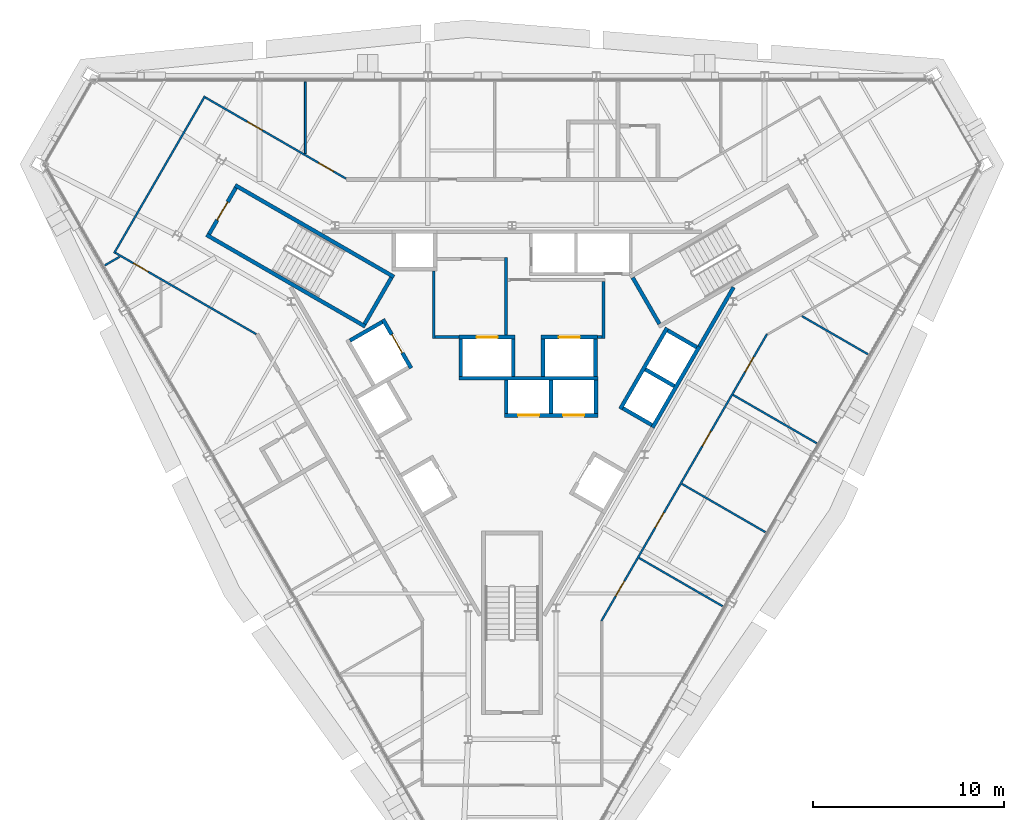
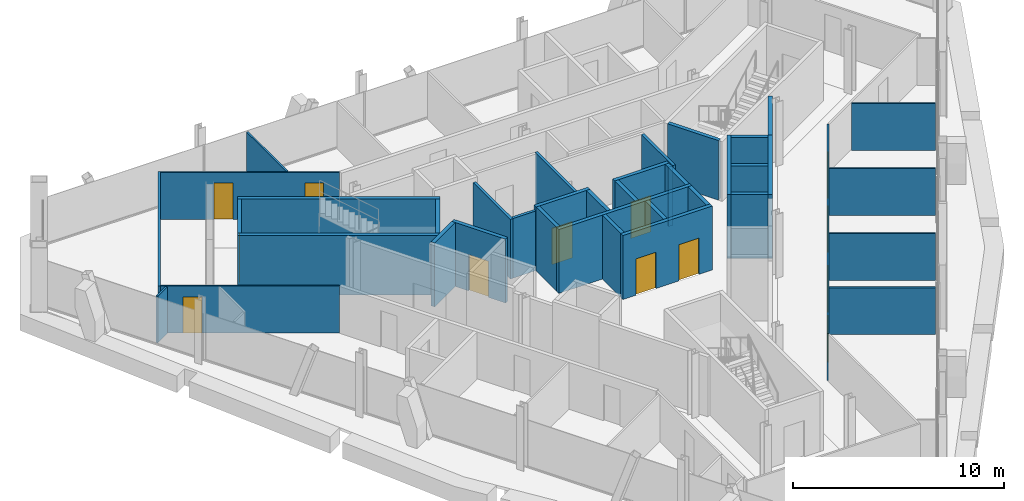
# One storey, part 10 of 14: 39 walls, 13 doors, 13 openings.
"""IFC4 building model written with IfcOpenShell, lengths in metres."""

from ifc_helpers import new_model, si_unit, direction, frame, frame_2d, origin, place, context, subcontext, project, spatial, rectangle, extrude, material, layer, layer_set, type_object, element, fill, save


model = new_model("IFC4")

# Units and contexts
model_context = context("Model", 3, precision=1e-05, world=origin(), true_north=direction((0.0, 1.0)))
body_context = subcontext(model_context, "Body", "Model", "MODEL_VIEW")
ifc_project = project(units=[si_unit("LENGTHUNIT", "METRE"), si_unit("AREAUNIT", "SQUARE_METRE"), si_unit("VOLUMEUNIT", "CUBIC_METRE"), si_unit("PLANEANGLEUNIT", "RADIAN"), si_unit("MASSUNIT", "GRAM", prefix="KILO")], contexts=[model_context])

# Site, building, storey
site_placement = place(None, origin())
site = spatial("IfcSite", under=ifc_project, at=site_placement, CompositionType="ELEMENT")
building_placement = place(site_placement, origin())
building = spatial("IfcBuilding", under=site, at=building_placement, Name="Verrane Prism Tower", CompositionType="ELEMENT")
storey_placement = place(building_placement, frame((0.0, 0.0, 221.199951171875)))
storey = spatial("IfcBuildingStorey", under=building, at=storey_placement, Name="L55", CompositionType="ELEMENT", Elevation=221.199951171875)

# Walls
ifc_material_1 = material(Name="Gypsum board partition", Category="other")
ifc_layer_1 = layer(ifc_material_1, 0.199951171875)
ifc_layer_set_1 = layer_set([ifc_layer_1], Name="CW-200 core boundary wall 2 h")
wall_type_1 = type_object("IfcWallType", Name="CW-200 core boundary wall 2 h", PredefinedType="PARTITIONING", material=ifc_layer_set_1)
wall_1_placement = place(storey_placement, frame((9.802978515625, 1.657958984375, 0.0), z_axis=(0.0, 0.0, 1.0), x_axis=(0.499943114462, 0.866058244174, 0.0)))
element("IfcWall", 1, at=wall_1_placement, inside=storey, type_object=wall_type_1, Name="Core boundary wall CW3-008", PredefinedType="PARTITIONING", context=body_context, shape_type="SweptSolid", body=[
    extrude(rectangle(XDim=3.57568359375, YDim=0.199951171875, at=frame_2d((1.787841796875, 0.0))), origin(), (0.0, 0.0, 1.0), 3.449951171875),
])
ifc_material_2 = material(Name="Concrete C40/50", Category="concrete")
ifc_layer_2 = layer(ifc_material_2, 0.199951171875)
ifc_layer_set_2 = layer_set([ifc_layer_2], Name="CW-200 stair core wall concrete C40/50 3 h")
wall_type_2 = type_object("IfcWallType", Name="CW-200 stair core wall concrete C40/50 3 h", PredefinedType="PARTITIONING", material=ifc_layer_set_2)
wall_2_placement = place(storey_placement, frame((7.71484375, 2.837646484375, 0.0), z_axis=(0.0, 0.0, 1.0), x_axis=(-0.500049511043, 0.865996816683, 0.0)))
element("IfcWall", 2, at=wall_2_placement, inside=storey, type_object=wall_type_2, Name="Stair 1 enclosure wall", PredefinedType="PARTITIONING", context=body_context, shape_type="SweptSolid", body=[
    extrude(rectangle(XDim=2.800048828125, YDim=0.199951171875, at=frame_2d((1.39990234375, 0.0))), origin(), (0.0, 0.0, 1.0), 3.449951171875),
])

# Wall, opening, door
wall_3_placement = place(storey_placement, frame((-14.455322265625, 9.96240234375, 0.0), z_axis=(0.0, 0.0, 1.0), x_axis=(-0.500049511043, -0.865996816683, 0.0)))
wall_3 = element("IfcWall", 3, at=wall_3_placement, inside=storey, type_object=wall_type_2, Name="Stair 2 enclosure wall", PredefinedType="PARTITIONING", context=body_context, shape_type="SweptSolid", body=[
    extrude(rectangle(XDim=2.800048828125, YDim=0.199951171875, at=frame_2d((1.39990234375, 0.0))), origin(), (0.0, 0.0, 1.0), 3.449951171875),
])
opening_1_placement = place(wall_3_placement, frame((0.849853515625, 0.0, 0.0)))
opening_1 = element("IfcOpeningElement", 4, at=opening_1_placement, cuts=wall_3, Name="Opening D54501", PredefinedType="OPENING", context=body_context, shape_type="SweptSolid", body=[
    extrude(rectangle(XDim=1.10009765625, YDim=2.10009765625, at=frame_2d((0.550048828125, 1.050048828125))), frame((0.0, 0.10986328125, 0.0), z_axis=(0.0, -1.0, 0.0), x_axis=(1.0, 0.0, 0.0)), (0.0, 0.0, 1.0), 0.219970703125),
])
ifc_material_3 = material(Name="Timber veneered door leaf", Category="wood")
door_type_1 = type_object("IfcDoorType", Name="DR-1100x2100 FD90 single leaf stair", OperationType="NOTDEFINED", PredefinedType="DOOR", material=ifc_material_3)
door_1_placement = place(opening_1_placement, origin())
door_1 = element("IfcDoor", 5, at=door_1_placement, inside=storey, type_object=door_type_1, Name="Stair 2 door", OperationType="SINGLE_SWING_RIGHT", OverallHeight=2.10009765625, OverallWidth=1.10009765625, PredefinedType="DOOR", context=body_context, shape_type="SweptSolid", body=[
    extrude(rectangle(XDim=1.10009765625, YDim=2.10009765625, at=frame_2d((0.550048828125, 1.050048828125))), frame((0.0, 0.02490234375, 0.0), z_axis=(0.0, -1.0, 0.0), x_axis=(1.0, 0.0, 0.0)), (0.0, 0.0, 1.0), 0.050048828125),
])
fill(opening_1, door_1)

# Walls
for number, where, z_axis, x_axis, name in (
    (6, (-7.67822265625, 2.700927734375, 0.0), (0.0, 0.0, 1.0), (-0.866019993635, 0.500009370536, 0.0), "Stair 2 enclosure wall"),
    (7, (-6.17822265625, 5.299072265625, 0.0), (0.0, 0.0, 1.0), (-0.866019993635, 0.500009370536, 0.0), "Stair 2 enclosure wall"),
):
    element("IfcWall", number, at=place(storey_placement, frame(where, z_axis=z_axis, x_axis=x_axis)), inside=storey, type_object=wall_type_2, Name=name, PredefinedType="PARTITIONING", context=body_context, shape_type="SweptSolid", body=[
        extrude(rectangle(XDim=9.599853515625, YDim=0.199951171875, at=frame_2d((4.7998046875, 0.0))), origin(), (0.0, 0.0, 1.0), 3.449951171875),
    ])
wall_4_placement = place(storey_placement, frame((-6.314697265625, 5.262451171875, 0.0), z_axis=(0.0, 0.0, 1.0), x_axis=(-0.500049511043, -0.865996816683, 0.0)))
element("IfcWall", 8, at=wall_4_placement, inside=storey, type_object=wall_type_2, Name="Stair 2 enclosure wall", PredefinedType="PARTITIONING", context=body_context, shape_type="SweptSolid", body=[
    extrude(rectangle(XDim=2.800048828125, YDim=0.199951171875, at=frame_2d((1.39990234375, 0.0))), origin(), (0.0, 0.0, 1.0), 3.449951171875),
])

# Wall, openings, doors
ifc_material_4 = material(Name="Gypsum board shaft wall assembly", Category="other")
ifc_layer_3 = layer(ifc_material_4, 0.199951171875)
ifc_layer_set_3 = layer_set([ifc_layer_3], Name="HW-200 lift shaft wall 2 h")
wall_type_3 = type_object("IfcWallType", Name="HW-200 lift shaft wall 2 h", PredefinedType="PARTITIONING", material=ifc_layer_set_3)
wall_5_placement = place(storey_placement, frame((-0.405029296875, -1.949951171875, 0.0), z_axis=(0.0, 0.0, 1.0), x_axis=(1.0, 0.0, 0.0)))
wall_5 = element("IfcWall", 9, at=wall_5_placement, inside=storey, type_object=wall_type_3, Name="Lift shaft wall", PredefinedType="PARTITIONING", context=body_context, shape_type="SweptSolid", body=[
    extrude(rectangle(XDim=4.900146484375, YDim=0.199951171875, at=frame_2d((2.4501953125, 0.0))), origin(), (0.0, 0.0, 1.0), 3.699951171875),
])
opening_2_placement = place(wall_5_placement, frame((0.72509765625, 0.0, 0.0)))
opening_2 = element("IfcOpeningElement", 10, at=opening_2_placement, cuts=wall_5, Name="Opening D54503", PredefinedType="OPENING", context=body_context, shape_type="SweptSolid", body=[
    extrude(rectangle(XDim=1.10009765625, YDim=2.10009765625, at=frame_2d((0.550048828125, 1.050048828125))), frame((0.0, 0.10986328125, 0.0), z_axis=(0.0, -1.0, 0.0), x_axis=(1.0, 0.0, 0.0)), (0.0, 0.0, 1.0), 0.219970703125),
])
opening_3_placement = place(wall_5_placement, frame((3.074951171875, 0.0, 0.0)))
opening_3 = element("IfcOpeningElement", 11, at=opening_3_placement, cuts=wall_5, Name="Opening D54504", PredefinedType="OPENING", context=body_context, shape_type="SweptSolid", body=[
    extrude(rectangle(XDim=1.10009765625, YDim=2.10009765625, at=frame_2d((0.550048828125, 1.050048828125))), frame((0.0, 0.10986328125, 0.0), z_axis=(0.0, -1.0, 0.0), x_axis=(1.0, 0.0, 0.0)), (0.0, 0.0, 1.0), 0.219970703125),
])
ifc_material_5 = material(Name="Stainless steel sliding landing door", Category="steel")
door_type_2 = type_object("IfcDoorType", Name="LD-1100x2100 lift landing door FD90 sliding", OperationType="NOTDEFINED", PredefinedType="DOOR", material=ifc_material_5)
door_2_placement = place(opening_2_placement, origin())
door_2 = element("IfcDoor", 12, at=door_2_placement, inside=storey, type_object=door_type_2, Name="Bank B lift 1 landing door", OperationType="SLIDING_TO_LEFT", OverallHeight=2.10009765625, OverallWidth=1.10009765625, PredefinedType="DOOR", context=body_context, shape_type="SweptSolid", body=[
    extrude(rectangle(XDim=1.10009765625, YDim=2.10009765625, at=frame_2d((0.550048828125, 1.050048828125))), frame((0.0, 0.02490234375, 0.0), z_axis=(0.0, -1.0, 0.0), x_axis=(1.0, 0.0, 0.0)), (0.0, 0.0, 1.0), 0.050048828125),
])
fill(opening_2, door_2)
door_3_placement = place(opening_3_placement, origin())
door_3 = element("IfcDoor", 13, at=door_3_placement, inside=storey, type_object=door_type_2, Name="Bank B lift 2 landing door", OperationType="SLIDING_TO_RIGHT", OverallHeight=2.10009765625, OverallWidth=1.10009765625, PredefinedType="DOOR", context=body_context, shape_type="SweptSolid", body=[
    extrude(rectangle(XDim=1.10009765625, YDim=2.10009765625, at=frame_2d((0.550048828125, 1.050048828125))), frame((0.0, 0.02490234375, 0.0), z_axis=(0.0, -1.0, 0.0), x_axis=(1.0, 0.0, 0.0)), (0.0, 0.0, 1.0), 0.050048828125),
])
fill(opening_3, door_3)

# Wall
wall_6_placement = place(storey_placement, frame((-2.784912109375, 0.0, 0.0), z_axis=(0.0, 0.0, 1.0), x_axis=(1.0, 0.0, 0.0)))
element("IfcWall", 14, at=wall_6_placement, inside=storey, type_object=wall_type_3, Name="Lift shaft wall", PredefinedType="PARTITIONING", context=body_context, shape_type="SweptSolid", body=[
    extrude(rectangle(XDim=7.280029296875, YDim=0.199951171875, at=frame_2d((3.64013671875, 0.0))), origin(), (0.0, 0.0, 1.0), 3.699951171875),
])

# Wall, opening, door
wall_7_placement = place(storey_placement, frame((-2.784912109375, 2.14990234375, 0.0), z_axis=(0.0, 0.0, 1.0), x_axis=(1.0, 0.0, 0.0)))
wall_7 = element("IfcWall", 15, at=wall_7_placement, inside=storey, type_object=wall_type_3, Name="Lift shaft wall", PredefinedType="PARTITIONING", context=body_context, shape_type="SweptSolid", body=[
    extrude(rectangle(XDim=2.949951171875, YDim=0.199951171875, at=frame_2d((1.47509765625, 0.0))), origin(), (0.0, 0.0, 1.0), 3.699951171875),
])
opening_4_placement = place(wall_7_placement, frame((0.925048828125, 0.0, 0.0)))
opening_4 = element("IfcOpeningElement", 16, at=opening_4_placement, cuts=wall_7, Name="Opening D54507", PredefinedType="OPENING", context=body_context, shape_type="SweptSolid", body=[
    extrude(rectangle(XDim=1.10009765625, YDim=2.10009765625, at=frame_2d((0.550048828125, 1.050048828125))), frame((0.0, 0.10986328125, 0.0), z_axis=(0.0, -1.0, 0.0), x_axis=(1.0, 0.0, 0.0)), (0.0, 0.0, 1.0), 0.219970703125),
])
door_4_placement = place(opening_4_placement, origin())
door_4 = element("IfcDoor", 17, at=door_4_placement, inside=storey, type_object=door_type_2, Name="Fire service lift 1 landing door", OperationType="SLIDING_TO_LEFT", OverallHeight=2.10009765625, OverallWidth=1.10009765625, PredefinedType="DOOR", context=body_context, shape_type="SweptSolid", body=[
    extrude(rectangle(XDim=1.10009765625, YDim=2.10009765625, at=frame_2d((0.550048828125, 1.050048828125))), frame((0.0, 0.02490234375, 0.0), z_axis=(0.0, -1.0, 0.0), x_axis=(1.0, 0.0, 0.0)), (0.0, 0.0, 1.0), 0.050048828125),
])
fill(opening_4, door_4)

wall_8_placement = place(storey_placement, frame((1.52490234375, 2.14990234375, 0.0), z_axis=(0.0, 0.0, 1.0), x_axis=(1.0, 0.0, 0.0)))
wall_8 = element("IfcWall", 18, at=wall_8_placement, inside=storey, type_object=wall_type_3, Name="Lift shaft wall", PredefinedType="PARTITIONING", context=body_context, shape_type="SweptSolid", body=[
    extrude(rectangle(XDim=2.9501953125, YDim=0.199951171875, at=frame_2d((1.47509765625, 0.0))), origin(), (0.0, 0.0, 1.0), 3.699951171875),
])
opening_5_placement = place(wall_8_placement, frame((0.925048828125, 0.0, 0.0)))
opening_5 = element("IfcOpeningElement", 19, at=opening_5_placement, cuts=wall_8, Name="Opening D54508", PredefinedType="OPENING", context=body_context, shape_type="SweptSolid", body=[
    extrude(rectangle(XDim=1.10009765625, YDim=2.10009765625, at=frame_2d((0.550048828125, 1.050048828125))), frame((0.0, 0.10986328125, 0.0), z_axis=(0.0, -1.0, 0.0), x_axis=(1.0, 0.0, 0.0)), (0.0, 0.0, 1.0), 0.219970703125),
])
door_5_placement = place(opening_5_placement, origin())
door_5 = element("IfcDoor", 20, at=door_5_placement, inside=storey, type_object=door_type_2, Name="Fire service lift 2 landing door", OperationType="SLIDING_TO_RIGHT", OverallHeight=2.10009765625, OverallWidth=1.10009765625, PredefinedType="DOOR", context=body_context, shape_type="SweptSolid", body=[
    extrude(rectangle(XDim=1.10009765625, YDim=2.10009765625, at=frame_2d((0.550048828125, 1.050048828125))), frame((0.0, 0.02490234375, 0.0), z_axis=(0.0, -1.0, 0.0), x_axis=(1.0, 0.0, 0.0)), (0.0, 0.0, 1.0), 0.050048828125),
])
fill(opening_5, door_5)

# Walls
wall_9_placement = place(storey_placement, frame((-8.48046875, 1.968505859375, 0.0), z_axis=(0.0, 0.0, 1.0), x_axis=(0.866000020948, 0.500043961785, 0.0)))
element("IfcWall", 21, at=wall_9_placement, inside=storey, type_object=wall_type_3, Name="Lift shaft wall", PredefinedType="PARTITIONING", context=body_context, shape_type="SweptSolid", body=[
    extrude(rectangle(XDim=1.949951171875, YDim=0.199951171875, at=frame_2d((0.97509765625, 0.0))), origin(), (0.0, 0.0, 1.0), 3.699951171875),
])
wall_10_placement = place(storey_placement, frame((7.351318359375, -2.587158203125, 0.0), z_axis=(0.0, 0.0, 1.0), x_axis=(0.500002801628, 0.866023786258, 0.0)))
element("IfcWall", 22, at=wall_10_placement, inside=storey, type_object=wall_type_3, Name="Lift shaft wall", PredefinedType="PARTITIONING", context=body_context, shape_type="SweptSolid", body=[
    extrude(rectangle(XDim=4.89990234375, YDim=0.199951171875, at=frame_2d((2.449951171875, 0.0))), origin(), (0.0, 0.0, 1.0), 3.699951171875),
])
wall_11_placement = place(storey_placement, frame((5.66259765625, -1.6123046875, 0.0), z_axis=(0.0, 0.0, 1.0), x_axis=(0.49998122708, 0.866036242063, 0.0)))
element("IfcWall", 23, at=wall_11_placement, inside=storey, type_object=wall_type_3, Name="Lift shaft wall", PredefinedType="PARTITIONING", context=body_context, shape_type="SweptSolid", body=[
    extrude(rectangle(XDim=4.900146484375, YDim=0.199951171875, at=frame_2d((2.4501953125, 0.0))), origin(), (0.0, 0.0, 1.0), 3.699951171875),
])
wall_12_placement = place(storey_placement, frame((4.39501953125, -1.85009765625, 0.0), z_axis=(0.0, 0.0, 1.0), x_axis=(0.0, 1.0, 0.0)))
element("IfcWall", 24, at=wall_12_placement, inside=storey, type_object=wall_type_3, Name="Lift shaft wall", PredefinedType="PARTITIONING", context=body_context, shape_type="SweptSolid", body=[
    extrude(rectangle(XDim=1.75, YDim=0.199951171875, at=frame_2d((0.875, 0.0))), origin(), (0.0, 0.0, 1.0), 3.699951171875),
])
wall_13_placement = place(storey_placement, frame((4.375, 0.10009765625, 0.0), z_axis=(0.0, 0.0, 1.0), x_axis=(0.0, 1.0, 0.0)))
element("IfcWall", 25, at=wall_13_placement, inside=storey, type_object=wall_type_3, Name="Lift shaft wall", PredefinedType="PARTITIONING", context=body_context, shape_type="SweptSolid", body=[
    extrude(rectangle(XDim=1.949951171875, YDim=0.199951171875, at=frame_2d((0.97509765625, 0.0))), origin(), (0.0, 0.0, 1.0), 3.699951171875),
])
wall_14_placement = place(storey_placement, frame((2.044921875, -1.85009765625, 0.0), z_axis=(0.0, 0.0, 1.0), x_axis=(0.0, 1.0, 0.0)))
element("IfcWall", 26, at=wall_14_placement, inside=storey, type_object=wall_type_3, Name="Lift shaft wall", PredefinedType="PARTITIONING", context=body_context, shape_type="SweptSolid", body=[
    extrude(rectangle(XDim=1.75, YDim=0.199951171875, at=frame_2d((0.875, 0.0))), origin(), (0.0, 0.0, 1.0), 3.699951171875),
])
for number, where, z_axis, x_axis, name in (
    (27, (1.625, 0.10009765625, 0.0), (0.0, 0.0, 1.0), (0.0, 1.0, 0.0), "Lift shaft wall"),
    (28, (0.06494140625, 0.10009765625, 0.0), (0.0, 0.0, 1.0), (0.0, 1.0, 0.0), "Lift shaft wall"),
):
    element("IfcWall", number, at=place(storey_placement, frame(where, z_axis=z_axis, x_axis=x_axis)), inside=storey, type_object=wall_type_3, Name=name, PredefinedType="PARTITIONING", context=body_context, shape_type="SweptSolid", body=[
        extrude(rectangle(XDim=1.949951171875, YDim=0.199951171875, at=frame_2d((0.97509765625, 0.0))), origin(), (0.0, 0.0, 1.0), 3.699951171875),
    ])
wall_15_placement = place(storey_placement, frame((-0.304931640625, -1.85009765625, 0.0), z_axis=(0.0, 0.0, 1.0), x_axis=(0.0, 1.0, 0.0)))
element("IfcWall", 29, at=wall_15_placement, inside=storey, type_object=wall_type_3, Name="Lift shaft wall", PredefinedType="PARTITIONING", context=body_context, shape_type="SweptSolid", body=[
    extrude(rectangle(XDim=1.75, YDim=0.199951171875, at=frame_2d((0.875, 0.0))), origin(), (0.0, 0.0, 1.0), 3.699951171875),
])
wall_16_placement = place(storey_placement, frame((-2.68505859375, 0.10009765625, 0.0), z_axis=(0.0, 0.0, 1.0), x_axis=(0.0, 1.0, 0.0)))
element("IfcWall", 30, at=wall_16_placement, inside=storey, type_object=wall_type_3, Name="Lift shaft wall", PredefinedType="PARTITIONING", context=body_context, shape_type="SweptSolid", body=[
    extrude(rectangle(XDim=1.949951171875, YDim=0.199951171875, at=frame_2d((0.97509765625, 0.0))), origin(), (0.0, 0.0, 1.0), 3.699951171875),
])

# Wall, opening, door
wall_17_placement = place(storey_placement, frame((-5.280029296875, 0.525390625, 0.0), z_axis=(0.0, 0.0, 1.0), x_axis=(-0.500037662692, 0.866003658127, 0.0)))
wall_17 = element("IfcWall", 31, at=wall_17_placement, inside=storey, type_object=wall_type_3, Name="Lift shaft wall", PredefinedType="PARTITIONING", context=body_context, shape_type="SweptSolid", body=[
    extrude(rectangle(XDim=2.949951171875, YDim=0.199951171875, at=frame_2d((1.47509765625, 0.0))), origin(), (0.0, 0.0, 1.0), 3.699951171875),
])
opening_6_placement = place(wall_17_placement, frame((0.925048828125, 0.0, 0.0)))
opening_6 = element("IfcOpeningElement", 32, at=opening_6_placement, cuts=wall_17, Name="Opening D54509", PredefinedType="OPENING", context=body_context, shape_type="SweptSolid", body=[
    extrude(rectangle(XDim=1.10009765625, YDim=2.10009765625, at=frame_2d((0.550048828125, 1.050048828125))), frame((0.0, 0.10986328125, 0.0), z_axis=(0.0, -1.0, 0.0), x_axis=(1.0, 0.0, 0.0)), (0.0, 0.0, 1.0), 0.219970703125),
])
door_6_placement = place(opening_6_placement, origin())
door_6 = element("IfcDoor", 33, at=door_6_placement, inside=storey, type_object=door_type_2, Name="Service lift 1 landing door", OperationType="SLIDING_TO_LEFT", OverallHeight=2.10009765625, OverallWidth=1.10009765625, PredefinedType="DOOR", context=body_context, shape_type="SweptSolid", body=[
    extrude(rectangle(XDim=1.10009765625, YDim=2.10009765625, at=frame_2d((0.550048828125, 1.050048828125))), frame((0.0, 0.02490234375, 0.0), z_axis=(0.0, -1.0, 0.0), x_axis=(1.0, 0.0, 0.0)), (0.0, 0.0, 1.0), 0.050048828125),
])
fill(opening_6, door_6)

# Walls
wall_18_placement = place(storey_placement, frame((9.66455078125, 1.61962890625, 0.0), z_axis=(0.0, 0.0, 1.0), x_axis=(-0.866002029911, 0.500040482552, 0.0)))
element("IfcWall", 34, at=wall_18_placement, inside=storey, type_object=wall_type_3, Name="Lift shaft wall", PredefinedType="PARTITIONING", context=body_context, shape_type="SweptSolid", body=[
    extrude(rectangle(XDim=1.749755859375, YDim=0.199951171875, at=frame_2d((0.875, 0.0))), origin(), (0.0, 0.0, 1.0), 3.699951171875),
])
for number, where, z_axis, x_axis, name in (
    (35, (8.48974609375, -0.41552734375, 0.0), (0.0, 0.0, 1.0), (-0.866036909293, 0.499980071345, 0.0), "Lift shaft wall"),
    (36, (7.314697265625, -2.45068359375, 0.0), (0.0, 0.0, 1.0), (-0.866036909293, 0.499980071345, 0.0), "Lift shaft wall"),
):
    element("IfcWall", number, at=place(storey_placement, frame(where, z_axis=z_axis, x_axis=x_axis)), inside=storey, type_object=wall_type_3, Name=name, PredefinedType="PARTITIONING", context=body_context, shape_type="SweptSolid", body=[
        extrude(rectangle(XDim=1.75, YDim=0.199951171875, at=frame_2d((0.875, 0.0))), origin(), (0.0, 0.0, 1.0), 3.699951171875),
    ])
ifc_material_6 = material(Name="Gypsum board partition", Category="other")
ifc_layer_4 = layer(ifc_material_6, 0.14990234375)
ifc_layer_set_4 = layer_set([ifc_layer_4], Name="LF-150 firefighting lobby wall 1 h")
wall_type_4 = type_object("IfcWallType", Name="LF-150 firefighting lobby wall 1 h", PredefinedType="PARTITIONING", material=ifc_layer_set_4)
wall_19_placement = place(storey_placement, frame((-4.10009765625, 2.0849609375, 0.0), z_axis=(0.0, 0.0, 1.0), x_axis=(0.0, 1.0, 0.0)))
element("IfcWall", 37, at=wall_19_placement, inside=storey, type_object=wall_type_4, Name="Firefighting lobby wall LF1-001", PredefinedType="PARTITIONING", context=body_context, shape_type="SweptSolid", body=[
    extrude(rectangle(XDim=3.52294921875, YDim=0.14990234375, at=frame_2d((1.761474609375, 0.0))), origin(), (0.0, 0.0, 1.0), 3.449951171875),
])
wall_20_placement = place(storey_placement, frame((-4.02490234375, 2.159912109375, 0.0), z_axis=(0.0, 0.0, 1.0), x_axis=(1.0, 0.0, 0.0)))
element("IfcWall", 38, at=wall_20_placement, inside=storey, type_object=wall_type_4, Name="Firefighting lobby wall LF1-002", PredefinedType="PARTITIONING", context=body_context, shape_type="SweptSolid", body=[
    extrude(rectangle(XDim=1.23779296875, YDim=0.14990234375, at=frame_2d((0.618896484375, 0.0))), origin(), (0.0, 0.0, 1.0), 3.449951171875),
])
wall_21_placement = place(storey_placement, frame((-0.320068359375, 2.251953125, 0.0), z_axis=(0.0, 0.0, 1.0), x_axis=(0.0, 1.0, 0.0)))
element("IfcWall", 39, at=wall_21_placement, inside=storey, type_object=wall_type_4, Name="Firefighting lobby wall LF1-004", PredefinedType="PARTITIONING", context=body_context, shape_type="SweptSolid", body=[
    extrude(rectangle(XDim=4.06298828125, YDim=0.14990234375, at=frame_2d((2.031494140625, 0.0))), origin(), (0.0, 0.0, 1.0), 3.449951171875),
])
wall_22_placement = place(storey_placement, frame((4.47705078125, 2.159912109375, 0.0), z_axis=(0.0, 0.0, 1.0), x_axis=(1.0, 0.0, 0.0)))
element("IfcWall", 40, at=wall_22_placement, inside=storey, type_object=wall_type_4, Name="Firefighting lobby wall LF1-006", PredefinedType="PARTITIONING", context=body_context, shape_type="SweptSolid", body=[
    extrude(rectangle(XDim=0.238037109375, YDim=0.14990234375, at=frame_2d((0.119140625, 0.0))), origin(), (0.0, 0.0, 1.0), 3.449951171875),
])
wall_23_placement = place(storey_placement, frame((4.7900390625, 2.0849609375, 0.0), z_axis=(0.0, 0.0, 1.0), x_axis=(0.0, 1.0, 0.0)))
element("IfcWall", 41, at=wall_23_placement, inside=storey, type_object=wall_type_4, Name="Firefighting lobby wall LF1-007", PredefinedType="PARTITIONING", context=body_context, shape_type="SweptSolid", body=[
    extrude(rectangle(XDim=2.97998046875, YDim=0.14990234375, at=frame_2d((1.489990234375, 0.0))), origin(), (0.0, 0.0, 1.0), 3.449951171875),
])
ifc_material_7 = material(Name="Gypsum board partition", Category="other")
ifc_layer_5 = layer(ifc_material_7, 0.10009765625)
ifc_layer_set_5 = layer_set([ifc_layer_5], Name="PW-100 room partition")
wall_type_5 = type_object("IfcWallType", Name="PW-100 room partition", PredefinedType="PARTITIONING", material=ifc_layer_set_5)
wall_24_placement = place(storey_placement, frame((-21.312744140625, 5.903076171875, 0.0), z_axis=(0.0, 0.0, 1.0), x_axis=(0.865952303503, 0.500126592033, 0.0)))
element("IfcWall", 42, at=wall_24_placement, inside=storey, type_object=wall_type_5, Name="Room partition 001", PredefinedType="PARTITIONING", context=body_context, shape_type="SweptSolid", body=[
    extrude(rectangle(XDim=0.888916015625, YDim=0.10009765625, at=frame_2d((0.4443359375, 0.0))), origin(), (0.0, 0.0, 1.0), 2.713134765625),
])
wall_25_placement = place(storey_placement, frame((-20.823974609375, 6.538818359375, 0.0), z_axis=(0.0, 0.0, 1.0), x_axis=(0.500297300687, 0.865853689098, 0.0)))
element("IfcWall", 43, at=wall_25_placement, inside=storey, type_object=wall_type_5, Name="Room partition 002", PredefinedType="PARTITIONING", context=body_context, shape_type="SweptSolid", body=[
    extrude(rectangle(XDim=9.496337890625, YDim=0.10009765625, at=frame_2d((4.748046875, 0.0))), origin(), (0.0, 0.0, 1.0), 2.713134765625),
])

# Wall, opening, door
wall_26_placement = place(storey_placement, frame((-13.390625, 2.305419921875, 0.0), z_axis=(0.0, 0.0, 1.0), x_axis=(-0.86606177021, 0.499937006213, 0.0)))
wall_26 = element("IfcWall", 44, at=wall_26_placement, inside=storey, type_object=wall_type_5, Name="Room partition 003", PredefinedType="PARTITIONING", context=body_context, shape_type="SweptSolid", body=[
    extrude(rectangle(XDim=8.50390625, YDim=0.10009765625, at=frame_2d((4.251953125, 0.0))), origin(), (0.0, 0.0, 1.0), 2.713134765625),
])
opening_7_placement = place(wall_26_placement, frame((6.522216796875, 0.0, 0.0)))
opening_7 = element("IfcOpeningElement", 45, at=opening_7_placement, cuts=wall_26, Name="Opening D54014", PredefinedType="OPENING", context=body_context, shape_type="SweptSolid", body=[
    extrude(rectangle(XDim=0.89990234375, YDim=2.10009765625, at=frame_2d((0.449951171875, 1.050048828125))), frame((0.0, 0.06005859375, 0.0), z_axis=(0.0, -1.0, 0.0), x_axis=(1.0, 0.0, 0.0)), (0.0, 0.0, 1.0), 0.1201171875),
])
ifc_material_8 = material(Name="Timber veneered door leaf", Category="wood")
door_type_3 = type_object("IfcDoorType", Name="DR-900x2100 single leaf unit", OperationType="NOTDEFINED", PredefinedType="DOOR", material=ifc_material_8)
door_7_placement = place(opening_7_placement, origin())
door_7 = element("IfcDoor", 46, at=door_7_placement, inside=storey, type_object=door_type_3, Name="Kitchen door", OperationType="SINGLE_SWING_LEFT", OverallHeight=2.10009765625, OverallWidth=0.89990234375, PredefinedType="DOOR", context=body_context, shape_type="SweptSolid", body=[
    extrude(rectangle(XDim=0.89990234375, YDim=2.10009765625, at=frame_2d((0.449951171875, 1.050048828125))), frame((0.0, 0.02490234375, 0.0), z_axis=(0.0, -1.0, 0.0), x_axis=(1.0, 0.0, 0.0)), (0.0, 0.0, 1.0), 0.050048828125),
])
fill(opening_7, door_7)

# Wall, openings, doors
wall_27_placement = place(storey_placement, frame((-16.0546875, 14.693115234375, 0.0), z_axis=(0.0, 0.0, 1.0), x_axis=(0.866070360466, -0.499922124658, 0.0)))
wall_27 = element("IfcWall", 47, at=wall_27_placement, inside=storey, type_object=wall_type_5, Name="Room partition 006", PredefinedType="PARTITIONING", context=body_context, shape_type="SweptSolid", body=[
    extrude(rectangle(XDim=8.502685546875, YDim=0.10009765625, at=frame_2d((4.25146484375, 0.0))), origin(), (0.0, 0.0, 1.0), 2.713134765625),
])
opening_8_placement = place(wall_27_placement, frame((6.846923828125, 0.0, 0.0)))
opening_8 = element("IfcOpeningElement", 48, at=opening_8_placement, cuts=wall_27, Name="Opening D54012", PredefinedType="OPENING", context=body_context, shape_type="SweptSolid", body=[
    extrude(rectangle(XDim=0.89990234375, YDim=2.10009765625, at=frame_2d((0.449951171875, 1.050048828125))), frame((0.0, 0.06005859375, 0.0), z_axis=(0.0, -1.0, 0.0), x_axis=(1.0, 0.0, 0.0)), (0.0, 0.0, 1.0), 0.1201171875),
])
opening_9_placement = place(wall_27_placement, frame((2.550048828125, 0.0, 0.0)))
opening_9 = element("IfcOpeningElement", 49, at=opening_9_placement, cuts=wall_27, Name="Opening D54013", PredefinedType="OPENING", context=body_context, shape_type="SweptSolid", body=[
    extrude(rectangle(XDim=0.89990234375, YDim=2.10009765625, at=frame_2d((0.449951171875, 1.050048828125))), frame((0.0, 0.06005859375, 0.0), z_axis=(0.0, -1.0, 0.0), x_axis=(1.0, 0.0, 0.0)), (0.0, 0.0, 1.0), 0.1201171875),
])
door_8_placement = place(opening_8_placement, origin())
door_8 = element("IfcDoor", 50, at=door_8_placement, inside=storey, type_object=door_type_3, Name="Utility Room door", OperationType="SINGLE_SWING_RIGHT", OverallHeight=2.10009765625, OverallWidth=0.89990234375, PredefinedType="DOOR", context=body_context, shape_type="SweptSolid", body=[
    extrude(rectangle(XDim=0.89990234375, YDim=2.10009765625, at=frame_2d((0.449951171875, 1.050048828125))), frame((0.0, 0.02490234375, 0.0), z_axis=(0.0, -1.0, 0.0), x_axis=(1.0, 0.0, 0.0)), (0.0, 0.0, 1.0), 0.050048828125),
])
fill(opening_8, door_8)
door_9_placement = place(opening_9_placement, origin())
door_9 = element("IfcDoor", 51, at=door_9_placement, inside=storey, type_object=door_type_3, Name="Utility Room door", OperationType="SINGLE_SWING_LEFT", OverallHeight=2.10009765625, OverallWidth=0.89990234375, PredefinedType="DOOR", context=body_context, shape_type="SweptSolid", body=[
    extrude(rectangle(XDim=0.89990234375, YDim=2.10009765625, at=frame_2d((0.449951171875, 1.050048828125))), frame((0.0, 0.02490234375, 0.0), z_axis=(0.0, -1.0, 0.0), x_axis=(1.0, 0.0, 0.0)), (0.0, 0.0, 1.0), 0.050048828125),
])
fill(opening_9, door_9)

# Wall
wall_28_placement = place(storey_placement, frame((-10.818115234375, 11.756591796875, 0.0), z_axis=(0.0, 0.0, 1.0), x_axis=(0.0, 1.0, 0.0)))
element("IfcWall", 52, at=wall_28_placement, inside=storey, type_object=wall_type_5, Name="Room partition 012", PredefinedType="PARTITIONING", context=body_context, shape_type="SweptSolid", body=[
    extrude(rectangle(XDim=3.74951171875, YDim=0.10009765625, at=frame_2d((1.874755859375, 0.0))), origin(), (0.0, 0.0, 1.0), 2.713134765625),
])

# Wall, openings, doors
wall_29_placement = place(storey_placement, frame((13.342041015625, 2.306396484375, 0.0), z_axis=(0.0, 0.0, 1.0), x_axis=(-0.49997440863, -0.866040178465, 0.0)))
wall_29 = element("IfcWall", 53, at=wall_29_placement, inside=storey, type_object=wall_type_5, Name="Room partition 027", PredefinedType="PARTITIONING", context=body_context, shape_type="SweptSolid", body=[
    extrude(rectangle(XDim=17.3349609375, YDim=0.10009765625, at=frame_2d((8.66748046875, 0.0))), origin(), (0.0, 0.0, 1.0), 2.713134765625),
])
opening_10_placement = place(wall_29_placement, frame((14.934814453125, 0.0, 0.0)))
opening_10 = element("IfcOpeningElement", 54, at=opening_10_placement, cuts=wall_29, Name="Opening D54001", PredefinedType="OPENING", context=body_context, shape_type="SweptSolid", body=[
    extrude(rectangle(XDim=0.89990234375, YDim=2.10009765625, at=frame_2d((0.449951171875, 1.050048828125))), frame((0.0, 0.06005859375, 0.0), z_axis=(0.0, -1.0, 0.0), x_axis=(1.0, 0.0, 0.0)), (0.0, 0.0, 1.0), 0.1201171875),
])
opening_11_placement = place(wall_29_placement, frame((10.793701171875, 0.0, 0.0)))
opening_11 = element("IfcOpeningElement", 55, at=opening_11_placement, cuts=wall_29, Name="Opening D54002", PredefinedType="OPENING", context=body_context, shape_type="SweptSolid", body=[
    extrude(rectangle(XDim=0.89990234375, YDim=2.10009765625, at=frame_2d((0.449951171875, 1.050048828125))), frame((0.0, 0.06005859375, 0.0), z_axis=(0.0, -1.0, 0.0), x_axis=(1.0, 0.0, 0.0)), (0.0, 0.0, 1.0), 0.1201171875),
])
opening_12_placement = place(wall_29_placement, frame((5.86572265625, 0.0, 0.0)))
opening_12 = element("IfcOpeningElement", 56, at=opening_12_placement, cuts=wall_29, Name="Opening D54003", PredefinedType="OPENING", context=body_context, shape_type="SweptSolid", body=[
    extrude(rectangle(XDim=0.89990234375, YDim=2.10009765625, at=frame_2d((0.449951171875, 1.050048828125))), frame((0.0, 0.06005859375, 0.0), z_axis=(0.0, -1.0, 0.0), x_axis=(1.0, 0.0, 0.0)), (0.0, 0.0, 1.0), 0.1201171875),
])
opening_13_placement = place(wall_29_placement, frame((1.394775390625, 0.0, 0.0)))
opening_13 = element("IfcOpeningElement", 57, at=opening_13_placement, cuts=wall_29, Name="Opening D54004", PredefinedType="OPENING", context=body_context, shape_type="SweptSolid", body=[
    extrude(rectangle(XDim=0.89990234375, YDim=2.10009765625, at=frame_2d((0.449951171875, 1.050048828125))), frame((0.0, 0.06005859375, 0.0), z_axis=(0.0, -1.0, 0.0), x_axis=(1.0, 0.0, 0.0)), (0.0, 0.0, 1.0), 0.1201171875),
])
door_10_placement = place(opening_10_placement, origin())
door_10 = element("IfcDoor", 58, at=door_10_placement, inside=storey, type_object=door_type_3, Name="Study door", OperationType="SINGLE_SWING_RIGHT", OverallHeight=2.10009765625, OverallWidth=0.89990234375, PredefinedType="DOOR", context=body_context, shape_type="SweptSolid", body=[
    extrude(rectangle(XDim=0.89990234375, YDim=2.10009765625, at=frame_2d((0.449951171875, 1.050048828125))), frame((0.0, 0.02490234375, 0.0), z_axis=(0.0, -1.0, 0.0), x_axis=(1.0, 0.0, 0.0)), (0.0, 0.0, 1.0), 0.050048828125),
])
fill(opening_10, door_10)
door_11_placement = place(opening_11_placement, origin())
door_11 = element("IfcDoor", 59, at=door_11_placement, inside=storey, type_object=door_type_3, Name="Kitchen door", OperationType="SINGLE_SWING_LEFT", OverallHeight=2.10009765625, OverallWidth=0.89990234375, PredefinedType="DOOR", context=body_context, shape_type="SweptSolid", body=[
    extrude(rectangle(XDim=0.89990234375, YDim=2.10009765625, at=frame_2d((0.449951171875, 1.050048828125))), frame((0.0, 0.02490234375, 0.0), z_axis=(0.0, -1.0, 0.0), x_axis=(1.0, 0.0, 0.0)), (0.0, 0.0, 1.0), 0.050048828125),
])
fill(opening_11, door_11)
door_12_placement = place(opening_12_placement, origin())
door_12 = element("IfcDoor", 60, at=door_12_placement, inside=storey, type_object=door_type_3, Name="Study door", OperationType="SINGLE_SWING_RIGHT", OverallHeight=2.10009765625, OverallWidth=0.89990234375, PredefinedType="DOOR", context=body_context, shape_type="SweptSolid", body=[
    extrude(rectangle(XDim=0.89990234375, YDim=2.10009765625, at=frame_2d((0.449951171875, 1.050048828125))), frame((0.0, 0.02490234375, 0.0), z_axis=(0.0, -1.0, 0.0), x_axis=(1.0, 0.0, 0.0)), (0.0, 0.0, 1.0), 0.050048828125),
])
fill(opening_12, door_12)
door_13_placement = place(opening_13_placement, origin())
door_13 = element("IfcDoor", 61, at=door_13_placement, inside=storey, type_object=door_type_3, Name="Study door", OperationType="SINGLE_SWING_LEFT", OverallHeight=2.10009765625, OverallWidth=0.89990234375, PredefinedType="DOOR", context=body_context, shape_type="SweptSolid", body=[
    extrude(rectangle(XDim=0.89990234375, YDim=2.10009765625, at=frame_2d((0.449951171875, 1.050048828125))), frame((0.0, 0.02490234375, 0.0), z_axis=(0.0, -1.0, 0.0), x_axis=(1.0, 0.0, 0.0)), (0.0, 0.0, 1.0), 0.050048828125),
])
fill(opening_13, door_13)

# Walls
for number, where, z_axis, x_axis, name in (
    (62, (6.642578125, -9.407470703125, 0.0), (0.0, 0.0, 1.0), (0.866056765328, -0.499945676278, 0.0), "Room partition 030"),
    (63, (8.881591796875, -5.529541015625, 0.0), (0.0, 0.0, 1.0), (0.865915800513, -0.500189790402, 0.0), "Room partition 033"),
):
    element("IfcWall", number, at=place(storey_placement, frame(where, z_axis=z_axis, x_axis=x_axis)), inside=storey, type_object=wall_type_5, Name=name, PredefinedType="PARTITIONING", context=body_context, shape_type="SweptSolid", body=[
        extrude(rectangle(XDim=5.04931640625, YDim=0.10009765625, at=frame_2d((2.524658203125, 0.0))), origin(), (0.0, 0.0, 1.0), 2.713134765625),
    ])
wall_30_placement = place(storey_placement, frame((11.563232421875, -0.875, 0.0), z_axis=(0.0, 0.0, 1.0), x_axis=(0.866052865344, -0.499952432166, 0.0)))
element("IfcWall", 64, at=wall_30_placement, inside=storey, type_object=wall_type_5, Name="Room partition 035", PredefinedType="PARTITIONING", context=body_context, shape_type="SweptSolid", body=[
    extrude(rectangle(XDim=5.05419921875, YDim=0.10009765625, at=frame_2d((2.527099609375, 0.0))), origin(), (0.0, 0.0, 1.0), 2.713134765625),
])
wall_31_placement = place(storey_placement, frame((15.169921875, 3.24560546875, 0.0), z_axis=(0.0, 0.0, 1.0), x_axis=(0.866149939141, -0.499784236372, 0.0)))
element("IfcWall", 65, at=wall_31_placement, inside=storey, type_object=wall_type_5, Name="Room partition 037", PredefinedType="PARTITIONING", context=body_context, shape_type="SweptSolid", body=[
    extrude(rectangle(XDim=3.990966796875, YDim=0.10009765625, at=frame_2d((1.99560546875, 0.0))), origin(), (0.0, 0.0, 1.0), 2.713134765625),
])

save(model, "model.ifc")
